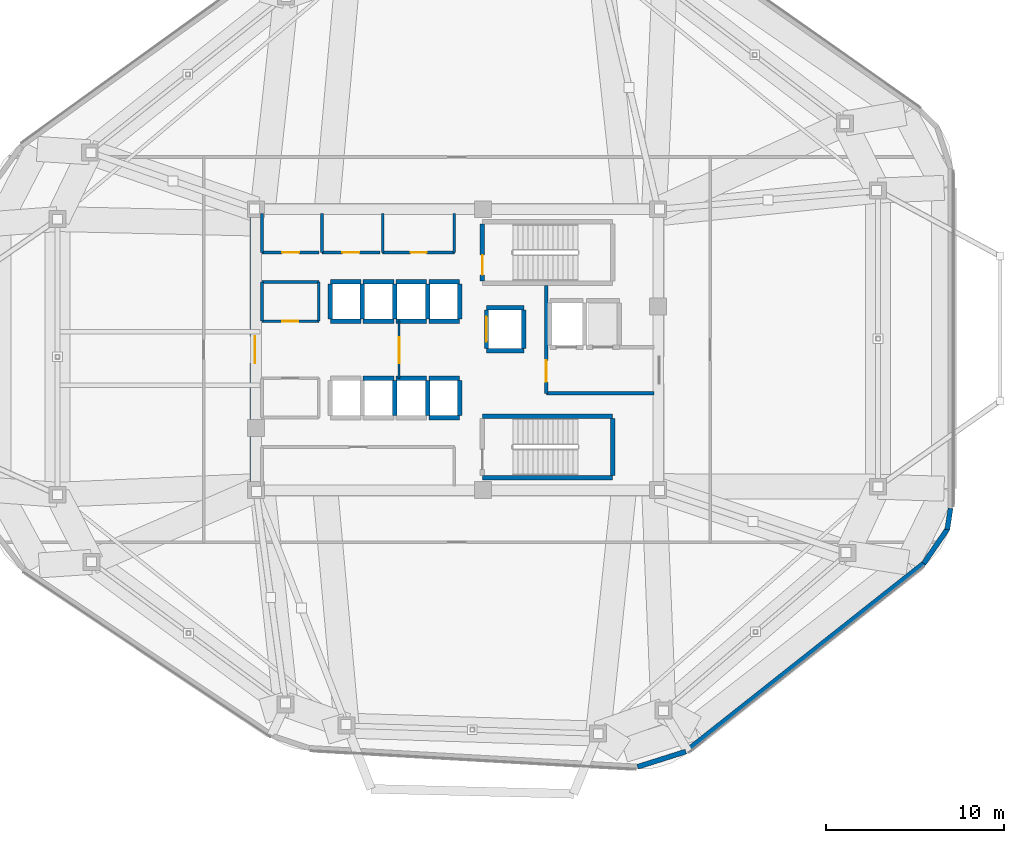
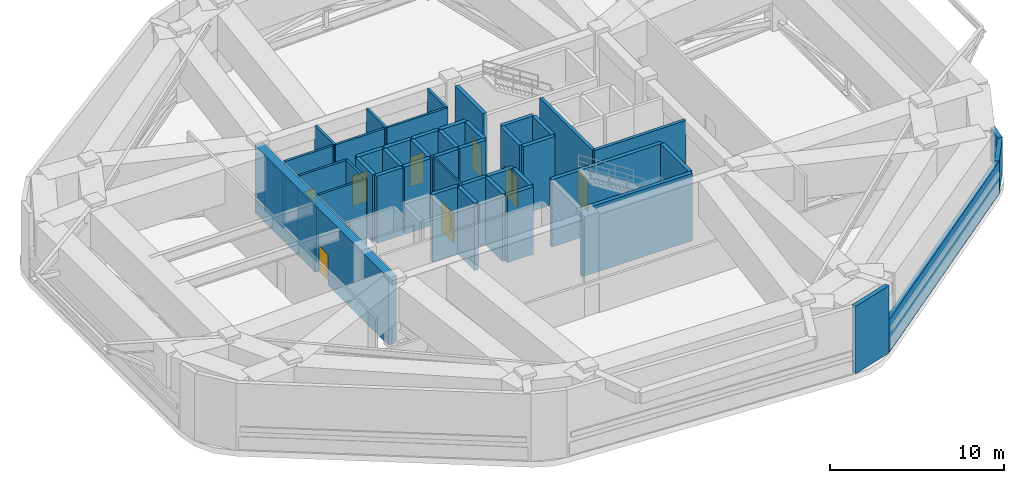
# One storey, part 8 of 13: 47 walls, 9 doors, 9 openings.
"""IFC4 building model written with IfcOpenShell, lengths in metres."""

import ifcopenshell
import ifcopenshell.guid

model = None  # the IFC model being written
_history = None  # IfcOwnerHistory: only IFC2X3 demands one
_inside = {}  # id of a spatial element -> (the spatial element, [elements in it])
_under = {}  # id of a project, library or spatial element -> (it, [spatial elements below it])
_declared = {}  # id of a project -> (the project, [libraries it declares])
_typed = {}  # id of a type object -> (the type object, [elements of that type])
_made_of = {}  # id of a material, layer set ... -> (it, [elements and type objects made of it])


def new_model(schema):
    """Start an empty IFC model of exactly this schema.

    Asked for "IFC4X3", IfcOpenShell would pick the latest addendum, in which some entities
    have other attributes; the version numbers below select the first issue.
    IFC2X3 requires an IfcOwnerHistory on every rooted entity: one is made here for all.
    """
    global model, _history
    if schema == "IFC4X3":
        model = ifcopenshell.file(schema_version=(4, 3, 0, 0))
    else:
        model = ifcopenshell.file(schema=schema)
    _inside.clear()
    _under.clear()
    _declared.clear()
    _typed.clear()
    _made_of.clear()
    _history = None
    if model.schema == "IFC2X3":
        org = make("IfcOrganization", Name="unknown")
        user = make(
            "IfcPersonAndOrganization",
            ThePerson=make("IfcPerson", FamilyName="unknown"),
            TheOrganization=org,
        )
        app = make(
            "IfcApplication",
            ApplicationDeveloper=org,
            Version="unknown",
            ApplicationFullName="unknown",
            ApplicationIdentifier="unknown",
        )
        _history = make(
            "IfcOwnerHistory",
            OwningUser=user,
            OwningApplication=app,
            ChangeAction="ADDED",
            CreationDate=0,
        )
    return model


def make(cls, **values):
    """One entity of the class cls with the attributes given. An attribute that is None is left unset."""
    return model.create_entity(
        cls, **{name: value for name, value in values.items() if value is not None}
    )


def rooted(cls, **values):
    """An entity with a GlobalId (a new one), such as an element, a storey or a relation."""
    return make(cls, GlobalId=ifcopenshell.guid.new(), OwnerHistory=_history, **values)


def si_unit(unit_type, name, prefix=None):
    """IfcSIUnit, for example si_unit("LENGTHUNIT", "METRE", prefix="MILLI")."""
    return make("IfcSIUnit", UnitType=unit_type, Prefix=prefix, Name=name)


def assignment(units):
    """IfcUnitAssignment: the units of a project."""
    return None if units is None else make("IfcUnitAssignment", Units=units)


def point(xyz):
    """IfcCartesianPoint."""
    return None if xyz is None else make("IfcCartesianPoint", Coordinates=xyz)


def direction(xyz):
    """IfcDirection."""
    return None if xyz is None else make("IfcDirection", DirectionRatios=xyz)


def frame(location, z_axis=None, x_axis=None):
    """IfcAxis2Placement3D, a coordinate frame: its origin and axes. An axis left out is left unset."""
    return make(
        "IfcAxis2Placement3D",
        Location=point(location),
        Axis=direction(z_axis),
        RefDirection=direction(x_axis),
    )


def frame_2d(location, x_axis=None):
    """IfcAxis2Placement2D, a coordinate frame in the plane: its origin and x axis."""
    return make(
        "IfcAxis2Placement2D", Location=point(location), RefDirection=direction(x_axis)
    )


def origin():
    """The frame at (0, 0, 0) with its axes left unset."""
    return frame((0.0, 0.0, 0.0))


def place(relative_to, where):
    """IfcLocalPlacement: puts the frame where relative to a parent placement (None: the world)."""
    return make(
        "IfcLocalPlacement", PlacementRelTo=relative_to, RelativePlacement=where
    )


def context(
    kind, dimensions, precision=None, world=None, true_north=None, identifier=None
):
    """IfcGeometricRepresentationContext, for example the 3D "Model" context."""
    return make(
        "IfcGeometricRepresentationContext",
        ContextIdentifier=identifier,
        ContextType=kind,
        CoordinateSpaceDimension=dimensions,
        Precision=precision,
        WorldCoordinateSystem=world,
        TrueNorth=true_north,
    )


def subcontext(parent, identifier, kind, view, scale=None):
    """IfcGeometricRepresentationSubContext, for example "Body" below "Model"."""
    return make(
        "IfcGeometricRepresentationSubContext",
        ContextIdentifier=identifier,
        ContextType=kind,
        ParentContext=parent,
        TargetScale=scale,
        TargetView=view,
    )


def project(units=None, contexts=None):
    """IfcProject with its units and contexts."""
    return rooted(
        "IfcProject",
        Name="project",
        RepresentationContexts=contexts,
        UnitsInContext=assignment(units),
    )


def spatial(cls, under=None, at=None, **own):
    """A site, building, storey or space (cls), placed at a placement, below another one or the project."""
    s = rooted(cls, ObjectPlacement=at, **own)
    if under is not None:
        _under.setdefault(under.id(), (under, []))[1].append(s)
    return s


def profile(cls, at=None, kind="AREA", **sizes):
    """A parametric profile (cls). Its sizes go by their IFC names, for example OverallWidth=200.0."""
    return make(cls, ProfileType=kind, Position=at, **sizes)


def rectangle(**sizes):
    """IfcRectangleProfileDef."""
    return profile("IfcRectangleProfileDef", **sizes)


def extrude(swept, where, along, depth):
    """IfcExtrudedAreaSolid: the profile swept, set in the frame where, extruded along a direction by depth."""
    return make(
        "IfcExtrudedAreaSolid",
        SweptArea=swept,
        Position=where,
        ExtrudedDirection=direction(along),
        Depth=depth,
    )


def shape(context_of_items, identifier, shape_type, items):
    """IfcShapeRepresentation: the items that make up one representation, for example the "Body"."""
    return make(
        "IfcShapeRepresentation",
        ContextOfItems=context_of_items,
        RepresentationIdentifier=identifier,
        RepresentationType=shape_type,
        Items=items,
    )


def material(Name=None, Category=None):
    """IfcMaterial."""
    return make("IfcMaterial", Name=Name, Category=Category)


def layer(
    of_material, thickness, ventilated=None, Name=None, Category=None, Priority=None
):
    """IfcMaterialLayer: one layer of a wall or slab, of a material (None: an air gap)."""
    return make(
        "IfcMaterialLayer",
        Material=of_material,
        LayerThickness=thickness,
        IsVentilated=ventilated,
        Name=Name,
        Category=Category,
        Priority=Priority,
    )


def layer_set(layers, Name=None):
    """IfcMaterialLayerSet."""
    return make("IfcMaterialLayerSet", MaterialLayers=layers, LayerSetName=Name)


def made_of(thing, what):
    """Note that an element or type object is made of a material, layer set ...; save() writes the relation."""
    if what is not None:
        _made_of.setdefault(what.id(), (what, []))[1].append(thing)
    return thing


def type_object(cls, material=None, **own):
    """A type object (cls), such as IfcWallType, which elements share."""
    return made_of(rooted(cls, **own), material)


def element(
    cls,
    number,
    at=None,
    inside=None,
    cuts=None,
    type_object=None,
    material=None,
    context=None,
    identifier="Body",
    shape_type=None,
    held_by="IfcProductDefinitionShape",
    body=None,
    shapes=None,
    **own,
):
    """One element of the class cls, such as IfcWall. Its Tag is "e" and its number.

    at: its placement. inside: the storey or other place that contains it. cuts: it is an
    opening in that element (IfcRelVoidsElement). A single representation is given by context,
    identifier, shape_type and body (its items); several are given by shapes. held_by: the class
    of the entity that holds the representations. save() writes the other relations.
    """
    e = rooted(cls, Tag="e%d" % number, ObjectPlacement=at, **own)
    if body is not None:
        shapes = [shape(context, identifier, shape_type, body)]
    if shapes is not None:
        e.Representation = make(held_by, Representations=shapes)
    if inside is not None:
        _inside.setdefault(inside.id(), (inside, []))[1].append(e)
    if cuts is not None:
        rooted(
            "IfcRelVoidsElement", RelatingBuildingElement=cuts, RelatedOpeningElement=e
        )
    if type_object is not None:
        _typed.setdefault(type_object.id(), (type_object, []))[1].append(e)
    return made_of(e, material)


def fill(opening, filler):
    """IfcRelFillsElement: the door or window that sits in an opening."""
    return rooted(
        "IfcRelFillsElement",
        RelatingOpeningElement=opening,
        RelatedBuildingElement=filler,
    )


def aggregate(whole, parts):
    """IfcRelAggregates: a whole, such as a stair, and the parts it consists of."""
    return rooted("IfcRelAggregates", RelatingObject=whole, RelatedObjects=parts)


def save(model, path):
    """Write the relations noted so far, then the file.

    IfcRelAggregates (storeys below a building ...), IfcRelContainedInSpatialStructure (elements
    in a storey), IfcRelDefinesByType, IfcRelAssociatesMaterial and IfcRelDeclares: one each for
    every whole, place, type object, material and project.
    """
    for whole, parts in _under.values():
        aggregate(whole, parts)
    for where, things in _inside.values():
        rooted(
            "IfcRelContainedInSpatialStructure",
            RelatedElements=things,
            RelatingStructure=where,
        )
    for kind, things in _typed.values():
        rooted("IfcRelDefinesByType", RelatedObjects=things, RelatingType=kind)
    for what, things in _made_of.values():
        rooted("IfcRelAssociatesMaterial", RelatedObjects=things, RelatingMaterial=what)
    for by, libraries in _declared.values():
        rooted("IfcRelDeclares", RelatingContext=by, RelatedDefinitions=libraries)
    model.write(path)


model = new_model("IFC4")

# Units and contexts
model_context = context("Model", 3, precision=1e-05, world=origin(), true_north=direction((0.0, 1.0)))
body_context = subcontext(model_context, "Body", "Model", "MODEL_VIEW")
ifc_project = project(units=[si_unit("LENGTHUNIT", "METRE"), si_unit("AREAUNIT", "SQUARE_METRE"), si_unit("VOLUMEUNIT", "CUBIC_METRE"), si_unit("PLANEANGLEUNIT", "RADIAN"), si_unit("MASSUNIT", "GRAM", prefix="KILO")], contexts=[model_context])

# Site, building, storey
site_placement = place(None, origin())
site = spatial("IfcSite", under=ifc_project, at=site_placement, CompositionType="ELEMENT")
building_placement = place(site_placement, origin())
building = spatial("IfcBuilding", under=site, at=building_placement, Name="Zulverin Broadcast Headquarters", CompositionType="ELEMENT")
storey_placement = place(building_placement, frame((0.0, 0.0, 220.0)))
storey = spatial("IfcBuildingStorey", under=building, at=storey_placement, Name="L56", CompositionType="ELEMENT", Elevation=220.0)

# Wall, opening, door
ifc_material_1 = material(Name="Concrete C60/75", Category="concrete")
ifc_layer_1 = layer(ifc_material_1, 0.550048828125, Name="Concrete C60/75", Category="concrete")
ifc_layer_set_1 = layer_set([ifc_layer_1], Name="Concrete C60/75")
wall_type_1 = type_object("IfcWallType", Name="WL-CORE-550", PredefinedType="SHEAR", material=ifc_layer_set_1)
wall_1_placement = place(storey_placement, frame((25.675048828125, 17.550048828125, 0.0), z_axis=(0.0, 0.0, 1.0), x_axis=(0.0, 1.0, 0.0)))
wall_1 = element("IfcWall", 1, at=wall_1_placement, inside=storey, type_object=wall_type_1, Name="L56 Core West Shear Wall", PredefinedType="SHEAR", context=body_context, shape_type="SweptSolid", body=[
    extrude(rectangle(XDim=15.300048828125, YDim=0.550048828125, at=frame_2d((7.64990234375, 0.0))), origin(), (0.0, 0.0, 1.0), 4.7099609375),
])
opening_1_placement = place(wall_1_placement, frame((6.89990234375, 0.0, 0.0)))
opening_1 = element("IfcOpeningElement", 2, at=opening_1_placement, cuts=wall_1, Name="Opening D-L56-CW1", PredefinedType="OPENING", context=body_context, shape_type="SweptSolid", body=[
    extrude(rectangle(XDim=1.5, YDim=2.14990234375, at=frame_2d((0.75, 1.074951171875))), frame((0.0, 0.284912109375, 0.0), z_axis=(0.0, -1.0, 0.0), x_axis=(1.0, 0.0, 0.0)), (0.0, 0.0, 1.0), 0.570068359375),
])
ifc_material_2 = material(Name="Fire-rated glazed steel frame", Category="steel")
door_type_1 = type_object("IfcDoorType", Name="DR-COR-1500", OperationType="DOUBLE_DOOR_SINGLE_SWING", PredefinedType="DOOR", material=ifc_material_2)
door_1_placement = place(opening_1_placement, origin())
door_1 = element("IfcDoor", 3, at=door_1_placement, inside=storey, type_object=door_type_1, Name="L56 Central Lift Lobby West Portal Door", OperationType="DOUBLE_DOOR_SINGLE_SWING", OverallHeight=2.14990234375, OverallWidth=1.5, PredefinedType="DOOR", context=body_context, shape_type="SweptSolid", body=[
    extrude(rectangle(XDim=1.5, YDim=2.14990234375, at=frame_2d((0.75, 1.074951171875))), frame((0.0, 0.02490234375, 0.0), z_axis=(0.0, -1.0, 0.0), x_axis=(1.0, 0.0, 0.0)), (0.0, 0.0, 1.0), 0.050048828125),
])
fill(opening_1, door_1)

# Walls
ifc_material_3 = material(Name="Insulated pale-metal clad concrete spandrel C40/50", Category="concrete")
ifc_layer_2 = layer(ifc_material_3, 0.280029296875, Name="Insulated pale-metal clad concrete spandrel C40/50", Category="concrete")
ifc_layer_set_2 = layer_set([ifc_layer_2], Name="Insulated pale-metal clad concrete spandrel C40/50")
wall_type_2 = type_object("IfcWallType", Name="WL-EXT-280", PredefinedType="STANDARD", material=ifc_layer_set_2)
wall_2_placement = place(storey_placement, frame((49.780517578125, 2.6513671875, 0.0), z_axis=(0.0, 0.0, 1.0), x_axis=(0.784540146287, 0.620078026433, 0.0)))
element("IfcWall", 4, at=wall_2_placement, inside=storey, type_object=wall_type_2, Name="L56 Pale-Metal Clad Spandrel Wall 2", PredefinedType="STANDARD", context=body_context, shape_type="SweptSolid", body=[
    extrude(rectangle(XDim=17.0966796875, YDim=0.280029296875, at=frame_2d((8.54833984375, 0.0))), origin(), (0.0, 0.0, 1.0), 2.31005859375),
])
wall_3_placement = place(storey_placement, frame((47.117919921875, 1.819580078125, 0.0), z_axis=(0.0, 0.0, 1.0), x_axis=(0.953528067258, 0.301304206662, 0.0)))
element("IfcWall", 5, at=wall_3_placement, inside=storey, type_object=wall_type_2, Name="L56 Wind-Shaped Corner Spandrel Wall 1-1", PredefinedType="STANDARD", context=body_context, shape_type="SweptSolid", body=[
    extrude(rectangle(XDim=2.839111328125, YDim=0.280029296875, at=frame_2d((1.41943359375, 0.0))), origin(), (0.0, 0.0, 1.0), 4.7099609375),
])
wall_4_placement = place(storey_placement, frame((63.164794921875, 13.22216796875, 0.0), z_axis=(0.0, 0.0, 1.0), x_axis=(0.565732602928, 0.824588759313, 0.0)))
element("IfcWall", 6, at=wall_4_placement, inside=storey, type_object=wall_type_2, Name="L56 Wind-Shaped Corner Spandrel Wall 2-1", PredefinedType="STANDARD", context=body_context, shape_type="SweptSolid", body=[
    extrude(rectangle(XDim=2.369140625, YDim=0.280029296875, at=frame_2d((1.1845703125, 0.0))), origin(), (0.0, 0.0, 1.0), 2.31005859375),
])
wall_5_placement = place(storey_placement, frame((64.482177734375, 15.117431640625, 0.0), z_axis=(0.0, 0.0, 1.0), x_axis=(0.149775197129, 0.988720076829, 0.0)))
element("IfcWall", 7, at=wall_5_placement, inside=storey, type_object=wall_type_2, Name="L56 Wind-Shaped Corner Spandrel Wall 2-2", PredefinedType="STANDARD", context=body_context, shape_type="SweptSolid", body=[
    extrude(rectangle(XDim=1.197998046875, YDim=0.280029296875, at=frame_2d((0.59912109375, 0.0))), origin(), (0.0, 0.0, 1.0), 2.31005859375),
])

# Wall, opening, door
ifc_material_4 = material(Name="Concrete C40/50", Category="concrete")
ifc_layer_3 = layer(ifc_material_4, 0.199951171875, Name="Concrete C40/50", Category="concrete")
ifc_layer_set_3 = layer_set([ifc_layer_3], Name="Concrete C40/50")
wall_type_3 = type_object("IfcWallType", Name="WL-FFL-200", PredefinedType="SOLIDWALL", material=ifc_layer_set_3)
wall_6_placement = place(storey_placement, frame((42.0, 22.75, 0.0), z_axis=(0.0, 0.0, 1.0), x_axis=(0.0, 1.0, 0.0)))
wall_6 = element("IfcWall", 8, at=wall_6_placement, inside=storey, type_object=wall_type_3, Name="L56 Firefighting Lift Lobby West Wall", PredefinedType="SOLIDWALL", context=body_context, shape_type="SweptSolid", body=[
    extrude(rectangle(XDim=6.050048828125, YDim=0.199951171875, at=frame_2d((3.02490234375, 0.0))), origin(), (0.0, 0.0, 1.0), 4.7099609375),
])
opening_2_placement = place(wall_6_placement, frame((0.64990234375, 0.0, 0.0)))
opening_2 = element("IfcOpeningElement", 9, at=opening_2_placement, cuts=wall_6, Name="Opening D-L56-FFLW", PredefinedType="OPENING", context=body_context, shape_type="SweptSolid", body=[
    extrude(rectangle(XDim=1.199951171875, YDim=2.14990234375, at=frame_2d((0.60009765625, 1.074951171875))), frame((0.0, 0.10986328125, 0.0), z_axis=(0.0, -1.0, 0.0), x_axis=(1.0, 0.0, 0.0)), (0.0, 0.0, 1.0), 0.219970703125),
])
ifc_material_5 = material(Name="Fire-rated steel leaf and frame", Category="steel")
door_type_2 = type_object("IfcDoorType", Name="DR-FFL-1200", OperationType="SINGLE_SWING_RIGHT", PredefinedType="DOOR", material=ifc_material_5)
door_2_placement = place(opening_2_placement, origin())
door_2 = element("IfcDoor", 10, at=door_2_placement, inside=storey, type_object=door_type_2, Name="L56 Firefighting Lift Lobby Door", OperationType="SINGLE_SWING_RIGHT", OverallHeight=2.14990234375, OverallWidth=1.199951171875, PredefinedType="DOOR", context=body_context, shape_type="SweptSolid", body=[
    extrude(rectangle(XDim=1.199951171875, YDim=2.14990234375, at=frame_2d((0.60009765625, 1.074951171875))), frame((0.0, 0.02490234375, 0.0), z_axis=(0.0, -1.0, 0.0), x_axis=(1.0, 0.0, 0.0)), (0.0, 0.0, 1.0), 0.050048828125),
])
fill(opening_2, door_2)

# Wall
wall_7_placement = place(storey_placement, frame((42.0, 22.75, 0.0), z_axis=(0.0, 0.0, 1.0), x_axis=(1.0, 0.0, 0.0)))
element("IfcWall", 11, at=wall_7_placement, inside=storey, type_object=wall_type_3, Name="L56 Firefighting Lift Lobby South Wall", PredefinedType="SOLIDWALL", context=body_context, shape_type="SweptSolid", body=[
    extrude(rectangle(XDim=6.050048828125, YDim=0.199951171875, at=frame_2d((3.02490234375, 0.0))), origin(), (0.0, 0.0, 1.0), 4.7099609375),
])

# Wall, opening, door
ifc_material_6 = material(Name="Fire-rated acoustic laminated glass screen", Category="glass")
ifc_layer_4 = layer(ifc_material_6, 0.10009765625, Name="Fire-rated acoustic laminated glass screen", Category="glass")
ifc_layer_set_4 = layer_set([ifc_layer_4], Name="Fire-rated acoustic laminated glass screen")
wall_type_4 = type_object("IfcWallType", Name="WL-GLAZ-100", PredefinedType="PARTITIONING", material=ifc_layer_set_4)
wall_8_placement = place(storey_placement, frame((33.75, 23.60009765625, 0.0), z_axis=(0.0, 0.0, 1.0), x_axis=(0.0, 1.0, 0.0)))
wall_8 = element("IfcWall", 12, at=wall_8_placement, inside=storey, type_object=wall_type_4, Name="L56 Core Lobby Acoustic Screen", PredefinedType="PARTITIONING", context=body_context, shape_type="SweptSolid", body=[
    extrude(rectangle(XDim=3.199951171875, YDim=0.10009765625, at=frame_2d((1.60009765625, 0.0))), origin(), (0.0, 0.0, 1.0), 4.7099609375),
])
opening_3_placement = place(wall_8_placement, frame((0.85009765625, 0.0, 0.0)))
opening_3 = element("IfcOpeningElement", 13, at=opening_3_placement, cuts=wall_8, Name="Opening D-L56-CL1", PredefinedType="OPENING", context=body_context, shape_type="SweptSolid", body=[
    extrude(rectangle(XDim=1.449951171875, YDim=2.1201171875, at=frame_2d((0.72509765625, 1.06005859375))), frame((0.0, 0.06005859375, 0.0), z_axis=(0.0, -1.0, 0.0), x_axis=(1.0, 0.0, 0.0)), (0.0, 0.0, 1.0), 0.1201171875),
])
ifc_material_7 = material(Name="Fire-rated acoustic glazed double leaf", Category="glass")
door_type_3 = type_object("IfcDoorType", Name="DR-GLZ-1450", OperationType="DOUBLE_DOOR_SINGLE_SWING", PredefinedType="DOOR", material=ifc_material_7)
door_3_placement = place(opening_3_placement, origin())
door_3 = element("IfcDoor", 14, at=door_3_placement, inside=storey, type_object=door_type_3, Name="L56 Core Lobby Vestibule Door", OperationType="DOUBLE_DOOR_SINGLE_SWING", OverallHeight=2.1201171875, OverallWidth=1.449951171875, PredefinedType="DOOR", context=body_context, shape_type="SweptSolid", body=[
    extrude(rectangle(XDim=1.449951171875, YDim=2.1201171875, at=frame_2d((0.72509765625, 1.06005859375))), frame((0.0, 0.02490234375, 0.0), z_axis=(0.0, -1.0, 0.0), x_axis=(1.0, 0.0, 0.0)), (0.0, 0.0, 1.0), 0.050048828125),
])
fill(opening_3, door_3)

ifc_material_8 = material(Name="Fire-rated gypsum stud partition", Category="gypsum")
ifc_layer_5 = layer(ifc_material_8, 0.14990234375, Name="Fire-rated gypsum stud partition", Category="gypsum")
ifc_layer_set_5 = layer_set([ifc_layer_5], Name="Fire-rated gypsum stud partition")
wall_type_5 = type_object("IfcWallType", Name="WL-PART-150", PredefinedType="PARTITIONING", material=ifc_layer_set_5)
wall_9_placement = place(storey_placement, frame((26.070068359375, 30.64990234375, 0.0), z_axis=(0.0, 0.0, 1.0), x_axis=(1.0, 0.0, 0.0)))
wall_9 = element("IfcWall", 15, at=wall_9_placement, inside=storey, type_object=wall_type_5, Name="L56 Core Accessible WC Front Wall", PredefinedType="PARTITIONING", context=body_context, shape_type="SweptSolid", body=[
    extrude(rectangle(XDim=3.199951171875, YDim=0.14990234375, at=frame_2d((1.60009765625, 0.0))), origin(), (0.0, 0.0, 1.0), 4.7099609375),
])
opening_4_placement = place(wall_9_placement, frame((1.125, 0.0, 0.0)))
opening_4 = element("IfcOpeningElement", 16, at=opening_4_placement, cuts=wall_9, Name="Opening D-L56-NC1", PredefinedType="OPENING", context=body_context, shape_type="SweptSolid", body=[
    extrude(rectangle(XDim=0.949951171875, YDim=2.10009765625, at=frame_2d((0.47509765625, 1.050048828125))), frame((0.0, 0.0849609375, 0.0), z_axis=(0.0, -1.0, 0.0), x_axis=(1.0, 0.0, 0.0)), (0.0, 0.0, 1.0), 0.169921875),
])
ifc_material_9 = material(Name="Fire-rated moisture-resistant laminate leaf", Category="wood")
door_type_4 = type_object("IfcDoorType", Name="DR-WC-950", OperationType="SINGLE_SWING_LEFT", PredefinedType="DOOR", material=ifc_material_9)
door_4_placement = place(opening_4_placement, origin())
door_4 = element("IfcDoor", 17, at=door_4_placement, inside=storey, type_object=door_type_4, Name="L56 Accessible WC Door", OperationType="SINGLE_SWING_LEFT", OverallHeight=2.10009765625, OverallWidth=0.949951171875, PredefinedType="DOOR", context=body_context, shape_type="SweptSolid", body=[
    extrude(rectangle(XDim=0.949951171875, YDim=2.10009765625, at=frame_2d((0.47509765625, 1.050048828125))), frame((0.0, 0.02490234375, 0.0), z_axis=(0.0, -1.0, 0.0), x_axis=(1.0, 0.0, 0.0)), (0.0, 0.0, 1.0), 0.050048828125),
])
fill(opening_4, door_4)

# Wall
wall_10_placement = place(storey_placement, frame((26.070068359375, 30.64990234375, 0.0), z_axis=(0.0, 0.0, 1.0), x_axis=(0.0, 1.0, 0.0)))
element("IfcWall", 18, at=wall_10_placement, inside=storey, type_object=wall_type_5, Name="L56 Core Accessible WC West Wall", PredefinedType="PARTITIONING", context=body_context, shape_type="SweptSolid", body=[
    extrude(rectangle(XDim=2.2001953125, YDim=0.14990234375, at=frame_2d((1.10009765625, 0.0))), origin(), (0.0, 0.0, 1.0), 3.81005859375),
])

# Wall, opening, door
wall_11_placement = place(storey_placement, frame((29.429931640625, 30.64990234375, 0.0), z_axis=(0.0, 0.0, 1.0), x_axis=(1.0, 0.0, 0.0)))
wall_11 = element("IfcWall", 19, at=wall_11_placement, inside=storey, type_object=wall_type_5, Name="L56 Core Male WC Front Wall", PredefinedType="PARTITIONING", context=body_context, shape_type="SweptSolid", body=[
    extrude(rectangle(XDim=3.239990234375, YDim=0.14990234375, at=frame_2d((1.6201171875, 0.0))), origin(), (0.0, 0.0, 1.0), 4.7099609375),
])
opening_5_placement = place(wall_11_placement, frame((1.14501953125, 0.0, 0.0)))
opening_5 = element("IfcOpeningElement", 20, at=opening_5_placement, cuts=wall_11, Name="Opening D-L56-NC2", PredefinedType="OPENING", context=body_context, shape_type="SweptSolid", body=[
    extrude(rectangle(XDim=0.949951171875, YDim=2.10009765625, at=frame_2d((0.47509765625, 1.050048828125))), frame((0.0, 0.0849609375, 0.0), z_axis=(0.0, -1.0, 0.0), x_axis=(1.0, 0.0, 0.0)), (0.0, 0.0, 1.0), 0.169921875),
])
door_5_placement = place(opening_5_placement, origin())
door_5 = element("IfcDoor", 21, at=door_5_placement, inside=storey, type_object=door_type_4, Name="L56 Male WC Door", OperationType="SINGLE_SWING_RIGHT", OverallHeight=2.10009765625, OverallWidth=0.949951171875, PredefinedType="DOOR", context=body_context, shape_type="SweptSolid", body=[
    extrude(rectangle(XDim=0.949951171875, YDim=2.10009765625, at=frame_2d((0.47509765625, 1.050048828125))), frame((0.0, 0.02490234375, 0.0), z_axis=(0.0, -1.0, 0.0), x_axis=(1.0, 0.0, 0.0)), (0.0, 0.0, 1.0), 0.050048828125),
])
fill(opening_5, door_5)

# Wall
wall_12_placement = place(storey_placement, frame((29.429931640625, 30.64990234375, 0.0), z_axis=(0.0, 0.0, 1.0), x_axis=(0.0, 1.0, 0.0)))
element("IfcWall", 22, at=wall_12_placement, inside=storey, type_object=wall_type_5, Name="L56 Core Male WC West Wall", PredefinedType="PARTITIONING", context=body_context, shape_type="SweptSolid", body=[
    extrude(rectangle(XDim=2.2001953125, YDim=0.14990234375, at=frame_2d((1.10009765625, 0.0))), origin(), (0.0, 0.0, 1.0), 4.7099609375),
])

# Wall, opening, door
wall_13_placement = place(storey_placement, frame((32.830078125, 30.64990234375, 0.0), z_axis=(0.0, 0.0, 1.0), x_axis=(1.0, 0.0, 0.0)))
wall_13 = element("IfcWall", 23, at=wall_13_placement, inside=storey, type_object=wall_type_5, Name="L56 Core Electrical Switch Riser Front Wall", PredefinedType="PARTITIONING", context=body_context, shape_type="SweptSolid", body=[
    extrude(rectangle(XDim=4.02001953125, YDim=0.14990234375, at=frame_2d((2.010009765625, 0.0))), origin(), (0.0, 0.0, 1.0), 4.7099609375),
])
opening_6_placement = place(wall_13_placement, frame((1.56005859375, 0.0, 0.0)))
opening_6 = element("IfcOpeningElement", 24, at=opening_6_placement, cuts=wall_13, Name="Opening D-L56-NC3", PredefinedType="OPENING", context=body_context, shape_type="SweptSolid", body=[
    extrude(rectangle(XDim=0.89990234375, YDim=2.10009765625, at=frame_2d((0.449951171875, 1.050048828125))), frame((0.0, 0.0849609375, 0.0), z_axis=(0.0, -1.0, 0.0), x_axis=(1.0, 0.0, 0.0)), (0.0, 0.0, 1.0), 0.169921875),
])
ifc_material_10 = material(Name="Powder-coated steel access leaf", Category="steel")
door_type_5 = type_object("IfcDoorType", Name="DR-RISER-900", OperationType="SINGLE_SWING_LEFT", PredefinedType="DOOR", material=ifc_material_10)
door_6_placement = place(opening_6_placement, origin())
door_6 = element("IfcDoor", 25, at=door_6_placement, inside=storey, type_object=door_type_5, Name="L56 Electrical Switch Riser Door", OperationType="SINGLE_SWING_LEFT", OverallHeight=2.10009765625, OverallWidth=0.89990234375, PredefinedType="DOOR", context=body_context, shape_type="SweptSolid", body=[
    extrude(rectangle(XDim=0.89990234375, YDim=2.10009765625, at=frame_2d((0.449951171875, 1.050048828125))), frame((0.0, 0.02490234375, 0.0), z_axis=(0.0, -1.0, 0.0), x_axis=(1.0, 0.0, 0.0)), (0.0, 0.0, 1.0), 0.050048828125),
])
fill(opening_6, door_6)

# Walls
for number, where, z_axis, x_axis, name in (
    (26, (32.830078125, 30.64990234375, 0.0), (0.0, 0.0, 1.0), (0.0, 1.0, 0.0), "L56 Core Electrical Switch Riser West Wall"),
    (27, (36.85009765625, 30.64990234375, 0.0), (0.0, 0.0, 1.0), (0.0, 1.0, 0.0), "L56 Core Electrical Switch Riser East Wall"),
):
    element("IfcWall", number, at=place(storey_placement, frame(where, z_axis=z_axis, x_axis=x_axis)), inside=storey, type_object=wall_type_5, Name=name, PredefinedType="PARTITIONING", context=body_context, shape_type="SweptSolid", body=[
        extrude(rectangle(XDim=2.2001953125, YDim=0.14990234375, at=frame_2d((1.10009765625, 0.0))), origin(), (0.0, 0.0, 1.0), 4.7099609375),
    ])

# Wall, opening, door
wall_14_placement = place(storey_placement, frame((26.070068359375, 26.800048828125, 0.0), z_axis=(0.0, 0.0, 1.0), x_axis=(1.0, 0.0, 0.0)))
wall_14 = element("IfcWall", 28, at=wall_14_placement, inside=storey, type_object=wall_type_5, Name="L56 Core UPS Battery Store S Wall", PredefinedType="PARTITIONING", context=body_context, shape_type="SweptSolid", body=[
    extrude(rectangle(XDim=3.179931640625, YDim=0.14990234375, at=frame_2d((1.58984375, 0.0))), origin(), (0.0, 0.0, 1.0), 4.7099609375),
])
opening_7_placement = place(wall_14_placement, frame((1.139892578125, 0.0, 0.0)))
opening_7 = element("IfcOpeningElement", 29, at=opening_7_placement, cuts=wall_14, Name="Opening D-L56-RCLN", PredefinedType="OPENING", context=body_context, shape_type="SweptSolid", body=[
    extrude(rectangle(XDim=0.89990234375, YDim=2.10009765625, at=frame_2d((0.449951171875, 1.050048828125))), frame((0.0, 0.0849609375, 0.0), z_axis=(0.0, -1.0, 0.0), x_axis=(1.0, 0.0, 0.0)), (0.0, 0.0, 1.0), 0.169921875),
])
door_7_placement = place(opening_7_placement, origin())
door_7 = element("IfcDoor", 30, at=door_7_placement, inside=storey, type_object=door_type_5, Name="L56 Core UPS Battery Store Door", OperationType="SINGLE_SWING_LEFT", OverallHeight=2.10009765625, OverallWidth=0.89990234375, PredefinedType="DOOR", context=body_context, shape_type="SweptSolid", body=[
    extrude(rectangle(XDim=0.89990234375, YDim=2.10009765625, at=frame_2d((0.449951171875, 1.050048828125))), frame((0.0, 0.02490234375, 0.0), z_axis=(0.0, -1.0, 0.0), x_axis=(1.0, 0.0, 0.0)), (0.0, 0.0, 1.0), 0.050048828125),
])
fill(opening_7, door_7)

# Walls
wall_15_placement = place(storey_placement, frame((26.070068359375, 29.0, 0.0), z_axis=(0.0, 0.0, 1.0), x_axis=(1.0, 0.0, 0.0)))
element("IfcWall", 31, at=wall_15_placement, inside=storey, type_object=wall_type_5, Name="L56 Core UPS Battery Store N Wall", PredefinedType="PARTITIONING", context=body_context, shape_type="SweptSolid", body=[
    extrude(rectangle(XDim=3.179931640625, YDim=0.14990234375, at=frame_2d((1.58984375, 0.0))), origin(), (0.0, 0.0, 1.0), 4.7099609375),
])
wall_16_placement = place(storey_placement, frame((26.070068359375, 26.800048828125, 0.0), z_axis=(0.0, 0.0, 1.0), x_axis=(0.0, 1.0, 0.0)))
element("IfcWall", 32, at=wall_16_placement, inside=storey, type_object=wall_type_5, Name="L56 Core UPS Battery Store W Wall", PredefinedType="PARTITIONING", context=body_context, shape_type="SweptSolid", body=[
    extrude(rectangle(XDim=2.199951171875, YDim=0.14990234375, at=frame_2d((1.10009765625, 0.0))), origin(), (0.0, 0.0, 1.0), 3.81005859375),
])
wall_17_placement = place(storey_placement, frame((29.25, 26.800048828125, 0.0), z_axis=(0.0, 0.0, 1.0), x_axis=(0.0, 1.0, 0.0)))
element("IfcWall", 33, at=wall_17_placement, inside=storey, type_object=wall_type_5, Name="L56 Core UPS Battery Store E Wall", PredefinedType="PARTITIONING", context=body_context, shape_type="SweptSolid", body=[
    extrude(rectangle(XDim=2.199951171875, YDim=0.14990234375, at=frame_2d((1.10009765625, 0.0))), origin(), (0.0, 0.0, 1.0), 4.7099609375),
])

# Wall, opening, door
ifc_material_11 = material(Name="Concrete C50/60", Category="concrete")
ifc_layer_6 = layer(ifc_material_11, 0.25, Name="Concrete C50/60", Category="concrete")
ifc_layer_set_6 = layer_set([ifc_layer_6], Name="Concrete C50/60")
wall_type_6 = type_object("IfcWallType", Name="WL-SHAFT-250", PredefinedType="SHEAR", material=ifc_layer_set_6)
wall_18_placement = place(storey_placement, frame((38.425048828125, 29.050048828125, 0.0), z_axis=(0.0, 0.0, 1.0), x_axis=(0.0, 1.0, 0.0)))
wall_18 = element("IfcWall", 34, at=wall_18_placement, inside=storey, type_object=wall_type_6, Name="L56 ST-1 Enclosure Wall W", PredefinedType="SHEAR", context=body_context, shape_type="SweptSolid", body=[
    extrude(rectangle(XDim=3.199951171875, YDim=0.25, at=frame_2d((1.60009765625, 0.0))), origin(), (0.0, 0.0, 1.0), 4.7099609375),
])
opening_8_placement = place(wall_18_placement, frame((0.35009765625, 0.0, 0.0)))
opening_8 = element("IfcOpeningElement", 35, at=opening_8_placement, cuts=wall_18, Name="Opening D-L56-ST-1", PredefinedType="OPENING", context=body_context, shape_type="SweptSolid", body=[
    extrude(rectangle(XDim=1.10009765625, YDim=2.14990234375, at=frame_2d((0.550048828125, 1.074951171875))), frame((0.0, 0.135009765625, 0.0), z_axis=(0.0, -1.0, 0.0), x_axis=(1.0, 0.0, 0.0)), (0.0, 0.0, 1.0), 0.27001953125),
])
door_type_6 = type_object("IfcDoorType", Name="DR-STAIR-1100", OperationType="SINGLE_SWING_LEFT", PredefinedType="DOOR", material=ifc_material_5)
door_8_placement = place(opening_8_placement, origin())
door_8 = element("IfcDoor", 36, at=door_8_placement, inside=storey, type_object=door_type_6, Name="L56 Exit Stair ST-1 Fire Door", OperationType="SINGLE_SWING_LEFT", OverallHeight=2.14990234375, OverallWidth=1.10009765625, PredefinedType="DOOR", context=body_context, shape_type="SweptSolid", body=[
    extrude(rectangle(XDim=1.10009765625, YDim=2.14990234375, at=frame_2d((0.550048828125, 1.074951171875))), frame((0.0, 0.02490234375, 0.0), z_axis=(0.0, -1.0, 0.0), x_axis=(1.0, 0.0, 0.0)), (0.0, 0.0, 1.0), 0.050048828125),
])
fill(opening_8, door_8)

# Walls
for number, where, z_axis, x_axis, name in (
    (37, (38.425048828125, 18.02490234375, 0.0), (0.0, 0.0, 1.0), (1.0, 0.0, 0.0), "L56 ST-2 Enclosure Wall S"),
    (38, (38.425048828125, 21.47509765625, 0.0), (0.0, 0.0, 1.0), (1.0, 0.0, 0.0), "L56 ST-2 Enclosure Wall N"),
):
    element("IfcWall", number, at=place(storey_placement, frame(where, z_axis=z_axis, x_axis=x_axis)), inside=storey, type_object=wall_type_6, Name=name, PredefinedType="SHEAR", context=body_context, shape_type="SweptSolid", body=[
        extrude(rectangle(XDim=7.300048828125, YDim=0.25, at=frame_2d((3.64990234375, 0.0))), origin(), (0.0, 0.0, 1.0), 4.7099609375),
    ])
wall_19_placement = place(storey_placement, frame((45.72509765625, 18.14990234375, 0.0), z_axis=(0.0, 0.0, 1.0), x_axis=(0.0, 1.0, 0.0)))
element("IfcWall", 39, at=wall_19_placement, inside=storey, type_object=wall_type_6, Name="L56 ST-2 Enclosure Wall E", PredefinedType="SHEAR", context=body_context, shape_type="SweptSolid", body=[
    extrude(rectangle(XDim=3.2001953125, YDim=0.25, at=frame_2d((1.60009765625, 0.0))), origin(), (0.0, 0.0, 1.0), 4.7099609375),
])
wall_20_placement = place(storey_placement, frame((31.739990234375, 23.60009765625, 0.0), z_axis=(0.0, 0.0, 1.0), x_axis=(1.0, 0.0, 0.0)))
element("IfcWall", 40, at=wall_20_placement, inside=storey, type_object=wall_type_6, Name="L56 Lift PL-M2 Shaft Wall N", PredefinedType="SHEAR", context=body_context, shape_type="SweptSolid", body=[
    extrude(rectangle(XDim=1.719970703125, YDim=0.25, at=frame_2d((0.85986328125, 0.0))), origin(), (0.0, 0.0, 1.0), 4.7099609375),
])
wall_21_placement = place(storey_placement, frame((33.52001953125, 21.52001953125, 0.0), z_axis=(0.0, 0.0, 1.0), x_axis=(0.0, 1.0, 0.0)))
element("IfcWall", 41, at=wall_21_placement, inside=storey, type_object=wall_type_6, Name="L56 Lift PL-M2 Shaft Wall E", PredefinedType="SHEAR", context=body_context, shape_type="SweptSolid", body=[
    extrude(rectangle(XDim=1.9599609375, YDim=0.25, at=frame_2d((0.97998046875, 0.0))), origin(), (0.0, 0.0, 1.0), 4.7099609375),
])
wall_22_placement = place(storey_placement, frame((33.580078125, 23.60009765625, 0.0), z_axis=(0.0, 0.0, 1.0), x_axis=(1.0, 0.0, 0.0)))
element("IfcWall", 42, at=wall_22_placement, inside=storey, type_object=wall_type_6, Name="L56 Lift PL-M3 Shaft Wall N", PredefinedType="SHEAR", context=body_context, shape_type="SweptSolid", body=[
    extrude(rectangle(XDim=1.719970703125, YDim=0.25, at=frame_2d((0.85986328125, 0.0))), origin(), (0.0, 0.0, 1.0), 4.7099609375),
])
wall_23_placement = place(storey_placement, frame((35.360107421875, 21.52001953125, 0.0), z_axis=(0.0, 0.0, 1.0), x_axis=(0.0, 1.0, 0.0)))
element("IfcWall", 43, at=wall_23_placement, inside=storey, type_object=wall_type_6, Name="L56 Lift PL-M3 Shaft Wall E", PredefinedType="SHEAR", context=body_context, shape_type="SweptSolid", body=[
    extrude(rectangle(XDim=1.9599609375, YDim=0.25, at=frame_2d((0.97998046875, 0.0))), origin(), (0.0, 0.0, 1.0), 4.7099609375),
])
for number, where, z_axis, x_axis, name in (
    (44, (35.419921875, 21.39990234375, 0.0), (0.0, 0.0, 1.0), (1.0, 0.0, 0.0), "L56 Lift PL-M4 Shaft Wall S"),
    (45, (35.419921875, 23.60009765625, 0.0), (0.0, 0.0, 1.0), (1.0, 0.0, 0.0), "L56 Lift PL-M4 Shaft Wall N"),
):
    element("IfcWall", number, at=place(storey_placement, frame(where, z_axis=z_axis, x_axis=x_axis)), inside=storey, type_object=wall_type_6, Name=name, PredefinedType="SHEAR", context=body_context, shape_type="SweptSolid", body=[
        extrude(rectangle(XDim=1.719970703125, YDim=0.25, at=frame_2d((0.85986328125, 0.0))), origin(), (0.0, 0.0, 1.0), 4.7099609375),
    ])
wall_24_placement = place(storey_placement, frame((37.139892578125, 21.52001953125, 0.0), z_axis=(0.0, 0.0, 1.0), x_axis=(0.0, 1.0, 0.0)))
element("IfcWall", 46, at=wall_24_placement, inside=storey, type_object=wall_type_6, Name="L56 Lift PL-M4 Shaft Wall E", PredefinedType="SHEAR", context=body_context, shape_type="SweptSolid", body=[
    extrude(rectangle(XDim=1.9599609375, YDim=0.25, at=frame_2d((0.97998046875, 0.0))), origin(), (0.0, 0.0, 1.0), 4.7099609375),
])
for number, where, z_axis, x_axis, name in (
    (47, (29.89990234375, 26.800048828125, 0.0), (0.0, 0.0, 1.0), (1.0, 0.0, 0.0), "L56 Lift PL-H1 Shaft Wall S"),
    (48, (29.89990234375, 29.0, 0.0), (0.0, 0.0, 1.0), (1.0, 0.0, 0.0), "L56 Lift PL-H1 Shaft Wall N"),
):
    element("IfcWall", number, at=place(storey_placement, frame(where, z_axis=z_axis, x_axis=x_axis)), inside=storey, type_object=wall_type_6, Name=name, PredefinedType="SHEAR", context=body_context, shape_type="SweptSolid", body=[
        extrude(rectangle(XDim=1.72021484375, YDim=0.25, at=frame_2d((0.860107421875, 0.0))), origin(), (0.0, 0.0, 1.0), 4.7099609375),
    ])
for number, where, z_axis, x_axis, name in (
    (49, (29.89990234375, 26.919921875, 0.0), (0.0, 0.0, 1.0), (0.0, 1.0, 0.0), "L56 Lift PL-H1 Shaft Wall W"),
    (50, (31.679931640625, 26.919921875, 0.0), (0.0, 0.0, 1.0), (0.0, 1.0, 0.0), "L56 Lift PL-H1 Shaft Wall E"),
):
    element("IfcWall", number, at=place(storey_placement, frame(where, z_axis=z_axis, x_axis=x_axis)), inside=storey, type_object=wall_type_6, Name=name, PredefinedType="SHEAR", context=body_context, shape_type="SweptSolid", body=[
        extrude(rectangle(XDim=1.9599609375, YDim=0.25, at=frame_2d((0.97998046875, 0.0))), origin(), (0.0, 0.0, 1.0), 4.7099609375),
    ])
for number, where, z_axis, x_axis, name in (
    (51, (31.739990234375, 26.800048828125, 0.0), (0.0, 0.0, 1.0), (1.0, 0.0, 0.0), "L56 Lift PL-H2 Shaft Wall S"),
    (52, (31.739990234375, 29.0, 0.0), (0.0, 0.0, 1.0), (1.0, 0.0, 0.0), "L56 Lift PL-H2 Shaft Wall N"),
):
    element("IfcWall", number, at=place(storey_placement, frame(where, z_axis=z_axis, x_axis=x_axis)), inside=storey, type_object=wall_type_6, Name=name, PredefinedType="SHEAR", context=body_context, shape_type="SweptSolid", body=[
        extrude(rectangle(XDim=1.719970703125, YDim=0.25, at=frame_2d((0.85986328125, 0.0))), origin(), (0.0, 0.0, 1.0), 4.7099609375),
    ])
wall_25_placement = place(storey_placement, frame((33.52001953125, 26.919921875, 0.0), z_axis=(0.0, 0.0, 1.0), x_axis=(0.0, 1.0, 0.0)))
element("IfcWall", 53, at=wall_25_placement, inside=storey, type_object=wall_type_6, Name="L56 Lift PL-H2 Shaft Wall E", PredefinedType="SHEAR", context=body_context, shape_type="SweptSolid", body=[
    extrude(rectangle(XDim=1.9599609375, YDim=0.25, at=frame_2d((0.97998046875, 0.0))), origin(), (0.0, 0.0, 1.0), 4.7099609375),
])
for number, where, z_axis, x_axis, name in (
    (54, (33.580078125, 26.800048828125, 0.0), (0.0, 0.0, 1.0), (1.0, 0.0, 0.0), "L56 Lift PL-H3 Shaft Wall S"),
    (55, (33.580078125, 29.0, 0.0), (0.0, 0.0, 1.0), (1.0, 0.0, 0.0), "L56 Lift PL-H3 Shaft Wall N"),
):
    element("IfcWall", number, at=place(storey_placement, frame(where, z_axis=z_axis, x_axis=x_axis)), inside=storey, type_object=wall_type_6, Name=name, PredefinedType="SHEAR", context=body_context, shape_type="SweptSolid", body=[
        extrude(rectangle(XDim=1.719970703125, YDim=0.25, at=frame_2d((0.85986328125, 0.0))), origin(), (0.0, 0.0, 1.0), 4.7099609375),
    ])
wall_26_placement = place(storey_placement, frame((35.360107421875, 26.919921875, 0.0), z_axis=(0.0, 0.0, 1.0), x_axis=(0.0, 1.0, 0.0)))
element("IfcWall", 56, at=wall_26_placement, inside=storey, type_object=wall_type_6, Name="L56 Lift PL-H3 Shaft Wall E", PredefinedType="SHEAR", context=body_context, shape_type="SweptSolid", body=[
    extrude(rectangle(XDim=1.9599609375, YDim=0.25, at=frame_2d((0.97998046875, 0.0))), origin(), (0.0, 0.0, 1.0), 4.7099609375),
])
for number, where, z_axis, x_axis, name in (
    (57, (35.419921875, 26.800048828125, 0.0), (0.0, 0.0, 1.0), (1.0, 0.0, 0.0), "L56 Lift PL-H4 Shaft Wall S"),
    (58, (35.419921875, 29.0, 0.0), (0.0, 0.0, 1.0), (1.0, 0.0, 0.0), "L56 Lift PL-H4 Shaft Wall N"),
):
    element("IfcWall", number, at=place(storey_placement, frame(where, z_axis=z_axis, x_axis=x_axis)), inside=storey, type_object=wall_type_6, Name=name, PredefinedType="SHEAR", context=body_context, shape_type="SweptSolid", body=[
        extrude(rectangle(XDim=1.719970703125, YDim=0.25, at=frame_2d((0.85986328125, 0.0))), origin(), (0.0, 0.0, 1.0), 4.7099609375),
    ])
wall_27_placement = place(storey_placement, frame((37.139892578125, 26.919921875, 0.0), z_axis=(0.0, 0.0, 1.0), x_axis=(0.0, 1.0, 0.0)))
element("IfcWall", 59, at=wall_27_placement, inside=storey, type_object=wall_type_6, Name="L56 Lift PL-H4 Shaft Wall E", PredefinedType="SHEAR", context=body_context, shape_type="SweptSolid", body=[
    extrude(rectangle(XDim=1.9599609375, YDim=0.25, at=frame_2d((0.97998046875, 0.0))), origin(), (0.0, 0.0, 1.0), 4.7099609375),
])
for number, where, z_axis, x_axis, name in (
    (60, (38.64990234375, 25.14990234375, 0.0), (0.0, 0.0, 1.0), (1.0, 0.0, 0.0), "L56 Lift SVL-1 Shaft Wall S"),
    (61, (38.64990234375, 27.550048828125, 0.0), (0.0, 0.0, 1.0), (1.0, 0.0, 0.0), "L56 Lift SVL-1 Shaft Wall N"),
):
    element("IfcWall", number, at=place(storey_placement, frame(where, z_axis=z_axis, x_axis=x_axis)), inside=storey, type_object=wall_type_6, Name=name, PredefinedType="SHEAR", context=body_context, shape_type="SweptSolid", body=[
        extrude(rectangle(XDim=2.10009765625, YDim=0.25, at=frame_2d((1.050048828125, 0.0))), origin(), (0.0, 0.0, 1.0), 4.7099609375),
    ])

# Wall, opening, door
wall_28_placement = place(storey_placement, frame((38.64990234375, 25.27001953125, 0.0), z_axis=(0.0, 0.0, 1.0), x_axis=(0.0, 1.0, 0.0)))
wall_28 = element("IfcWall", 62, at=wall_28_placement, inside=storey, type_object=wall_type_6, Name="L56 Lift SVL-1 Shaft Wall W", PredefinedType="SHEAR", context=body_context, shape_type="SweptSolid", body=[
    extrude(rectangle(XDim=2.159912109375, YDim=0.25, at=frame_2d((1.080078125, 0.0))), origin(), (0.0, 0.0, 1.0), 4.7099609375),
])
opening_9_placement = place(wall_28_placement, frame((0.3798828125, 0.0, 0.0)))
opening_9 = element("IfcOpeningElement", 63, at=opening_9_placement, cuts=wall_28, Name="Opening LD-SVL-1-L56", PredefinedType="OPENING", context=body_context, shape_type="SweptSolid", body=[
    extrude(rectangle(XDim=1.39990234375, YDim=2.199951171875, at=frame_2d((0.699951171875, 1.10009765625))), frame((0.0, 0.135009765625, 0.0), z_axis=(0.0, -1.0, 0.0), x_axis=(1.0, 0.0, 0.0)), (0.0, 0.0, 1.0), 0.27001953125),
])
ifc_material_12 = material(Name="Heavy-duty stainless landing door", Category="steel")
door_type_7 = type_object("IfcDoorType", Name="LD-GOODS-1400", OperationType="DOUBLE_DOOR_SLIDING", PredefinedType="DOOR", material=ifc_material_12)
door_9_placement = place(opening_9_placement, origin())
door_9 = element("IfcDoor", 64, at=door_9_placement, inside=storey, type_object=door_type_7, Name="L56 Lift SVL-1 Sliding Landing Door", OperationType="DOUBLE_DOOR_SLIDING", OverallHeight=2.199951171875, OverallWidth=1.39990234375, PredefinedType="DOOR", context=body_context, shape_type="SweptSolid", body=[
    extrude(rectangle(XDim=1.39990234375, YDim=2.199951171875, at=frame_2d((0.699951171875, 1.10009765625))), frame((0.0, 0.02490234375, 0.0), z_axis=(0.0, -1.0, 0.0), x_axis=(1.0, 0.0, 0.0)), (0.0, 0.0, 1.0), 0.050048828125),
])
fill(opening_9, door_9)

# Wall
wall_29_placement = place(storey_placement, frame((40.75, 25.27001953125, 0.0), z_axis=(0.0, 0.0, 1.0), x_axis=(0.0, 1.0, 0.0)))
element("IfcWall", 65, at=wall_29_placement, inside=storey, type_object=wall_type_6, Name="L56 Lift SVL-1 Shaft Wall E", PredefinedType="SHEAR", context=body_context, shape_type="SweptSolid", body=[
    extrude(rectangle(XDim=2.159912109375, YDim=0.25, at=frame_2d((1.080078125, 0.0))), origin(), (0.0, 0.0, 1.0), 4.7099609375),
])

save(model, "model.ifc")
